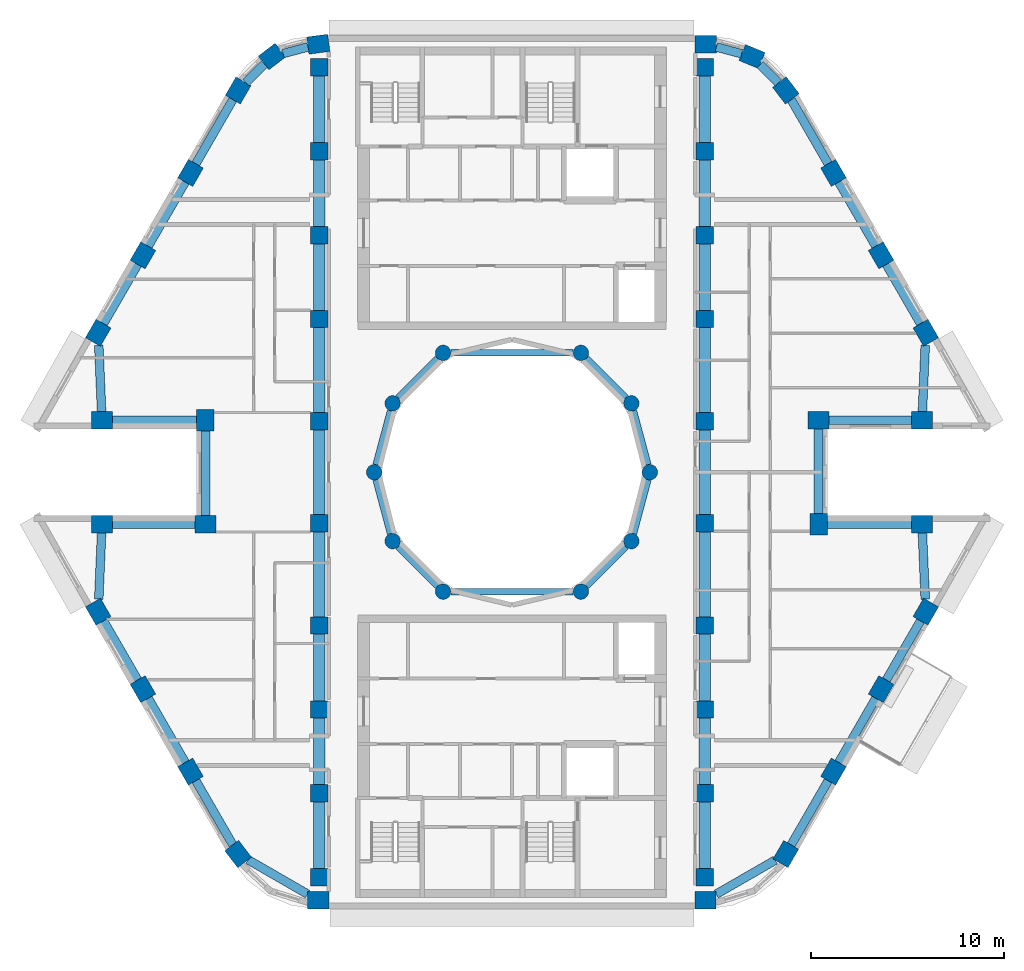
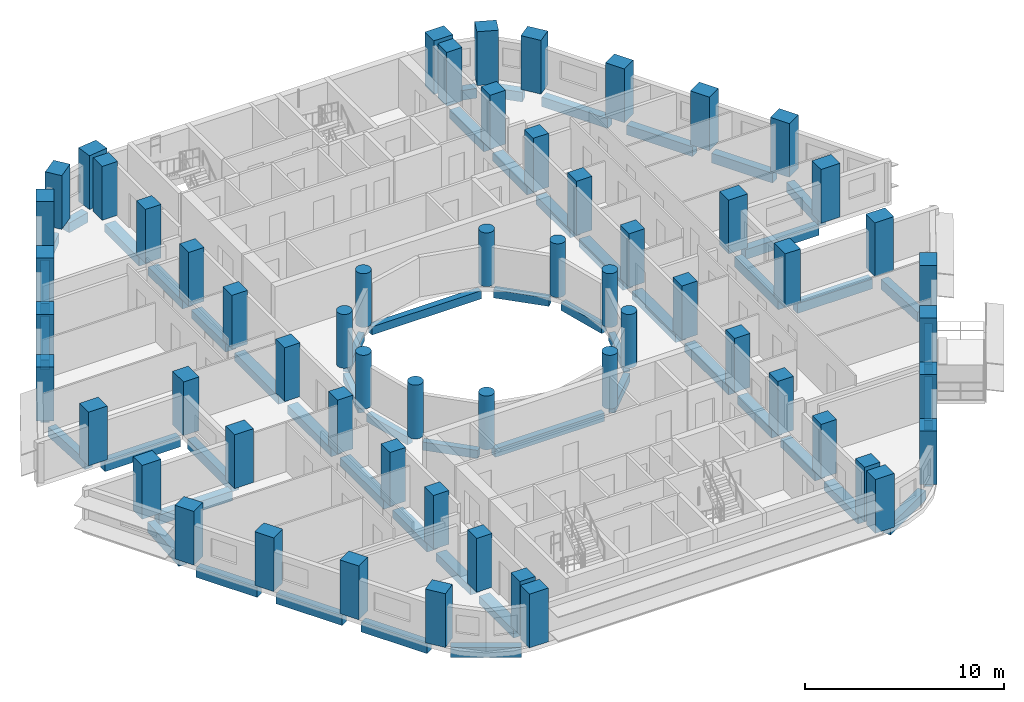
# One storey, part 1 of 12: 60 columns, 56 beams.
"""IFC4 building model written with IfcOpenShell, lengths in metres."""

from ifc_helpers import new_model, si_unit, direction, frame, origin, origin_2d, place, context, subcontext, project, spatial, rectangle, circle, extrude, material, material_profile, profile_set, type_object, element, save


model = new_model("IFC4")

# Units and contexts
model_context = context("Model", 3, precision=1e-05, world=origin(), true_north=direction((0.0, 1.0)))
body_context = subcontext(model_context, "Body", "Model", "MODEL_VIEW")
ifc_project = project(units=[si_unit("LENGTHUNIT", "METRE"), si_unit("AREAUNIT", "SQUARE_METRE"), si_unit("VOLUMEUNIT", "CUBIC_METRE"), si_unit("PLANEANGLEUNIT", "RADIAN"), si_unit("MASSUNIT", "GRAM", prefix="KILO")], contexts=[model_context])

# Site, building, storey
site_placement = place(None, origin())
site = spatial("IfcSite", under=ifc_project, at=site_placement, CompositionType="ELEMENT")
building_placement = place(site_placement, origin())
building = spatial("IfcBuilding", under=site, at=building_placement, Name="Nakaniwa Court", CompositionType="ELEMENT")
storey_placement = place(building_placement, frame((0.0, 0.0, 229.5)))
storey = spatial("IfcBuildingStorey", under=building, at=storey_placement, Name="L59", CompositionType="ELEMENT", Elevation=229.5)

# Columns
ifc_material = material(Name="Concrete C80/100", Category="concrete")
ifc_material_profile_1 = material_profile(ifc_material, rectangle(XDim=1.10009765625, YDim=0.89990234375, at=origin_2d()), Name="Concrete C80/100 RC 1100x900 perimeter column")
ifc_profile_set_1 = profile_set([ifc_material_profile_1], Name="Concrete C80/100")
column_type_1 = type_object("IfcColumnType", Name="Concrete C80/100 RC 1100x900 perimeter column", PredefinedType="COLUMN", material=ifc_profile_set_1)
for number, where, z_axis, x_axis, name in (
    (1, (69.95458984375, 102.199951171875, 0.0), (0.0, 0.0, 1.0), (-0.991442583111, -0.130543496177, 0.0), "COLUMN CO-01"),
    (2, (67.552001953125, 101.560302734375, 0.0), (0.0, 0.0, 1.0), (-0.793363965062, -0.608747582288, 0.0), "COLUMN CO-02"),
    (3, (65.796875, 99.799560546875, 0.0), (0.0, 0.0, 1.0), (-0.5, -0.866025403784, 0.0), "COLUMN CO-03"),
    (4, (63.328857421875, 95.524658203125, 0.0), (0.0, 0.0, 1.0), (-0.5, -0.866025403784, 0.0), "COLUMN CO-04"),
    (5, (60.860595703125, 91.249755859375, 0.0), (0.0, 0.0, 1.0), (-0.5, -0.866025403784, 0.0), "COLUMN CO-05"),
    (6, (58.541015625, 87.232177734375, 0.0), (0.0, 0.0, 1.0), (-0.5, -0.866025403784, 0.0), "COLUMN CO-06"),
    (7, (58.736083984375, 82.699951171875, 0.0), (0.0, 0.0, 1.0), (1.0, 0.0, 0.0), "COLUMN CO-08"),
    (8, (64.1005859375, 82.699951171875, 0.0), (0.0, 0.0, 1.0), (0.0, -1.0, 0.0), "COLUMN CO-09"),
    (9, (64.1005859375, 77.300048828125, 0.0), (0.0, 0.0, 1.0), (-1.0, 0.0, 0.0), "COLUMN CO-10"),
    (10, (58.736083984375, 77.300048828125, 0.0), (0.0, 0.0, 1.0), (-1.0, 0.0, 0.0), "COLUMN CO-11"),
    (11, (58.541015625, 72.767822265625, 0.0), (0.0, 0.0, 1.0), (0.5, -0.866025403784, 0.0), "COLUMN CO-13"),
    (12, (60.860595703125, 68.750244140625, 0.0), (0.0, 0.0, 1.0), (0.5, -0.866025403784, 0.0), "COLUMN CO-14"),
    (13, (63.328857421875, 64.475341796875, 0.0), (0.0, 0.0, 1.0), (0.5, -0.866025403784, 0.0), "COLUMN CO-15"),
    (14, (65.796875, 60.200439453125, 0.0), (0.0, 0.0, 1.0), (0.608761429009, -0.793353340291, 0.0), "COLUMN CO-16"),
    (15, (69.95458984375, 57.800048828125, 0.0), (0.0, 0.0, 1.0), (1.0, 0.0, 0.0), "COLUMN CO-17"),
    (16, (90.03955078125, 57.800048828125, 0.0), (0.0, 0.0, 1.0), (1.0, 0.0, 0.0), "COLUMN CO-21"),
    (17, (94.203125, 60.200439453125, 0.0), (0.0, 0.0, 1.0), (0.5, 0.866025403784, 0.0), "COLUMN CO-22"),
    (18, (96.671142578125, 64.475341796875, 0.0), (0.0, 0.0, 1.0), (0.5, 0.866025403784, 0.0), "COLUMN CO-23"),
    (19, (99.139404296875, 68.750244140625, 0.0), (0.0, 0.0, 1.0), (0.5, 0.866025403784, 0.0), "COLUMN CO-24"),
    (20, (101.458984375, 72.767822265625, 0.0), (0.0, 0.0, 1.0), (0.5, 0.866025403784, 0.0), "COLUMN CO-25"),
    (21, (101.263916015625, 77.300048828125, 0.0), (0.0, 0.0, 1.0), (-1.0, 0.0, 0.0), "COLUMN CO-27"),
    (22, (95.8994140625, 77.300048828125, 0.0), (0.0, 0.0, 1.0), (0.0, 1.0, 0.0), "COLUMN CO-28"),
    (23, (95.8994140625, 82.699951171875, 0.0), (0.0, 0.0, 1.0), (1.0, 0.0, 0.0), "COLUMN CO-29"),
    (24, (101.263916015625, 82.699951171875, 0.0), (0.0, 0.0, 1.0), (1.0, 0.0, 0.0), "COLUMN CO-30"),
    (25, (101.458984375, 87.232177734375, 0.0), (0.0, 0.0, 1.0), (-0.5, 0.866025403784, 0.0), "COLUMN CO-32"),
    (26, (99.139404296875, 91.249755859375, 0.0), (0.0, 0.0, 1.0), (-0.5, 0.866025403784, 0.0), "COLUMN CO-33"),
    (27, (96.671142578125, 95.524658203125, 0.0), (0.0, 0.0, 1.0), (-0.5, 0.866025403784, 0.0), "COLUMN CO-34"),
    (28, (94.203125, 99.799560546875, 0.0), (0.0, 0.0, 1.0), (-0.608761429009, 0.793353340291, 0.0), "COLUMN CO-35"),
    (29, (92.447998046875, 101.560302734375, 0.0), (0.0, 0.0, 1.0), (-0.923879532511, 0.382683432365, 0.0), "COLUMN CO-36"),
    (30, (90.04541015625, 102.199951171875, 0.0), (0.0, 0.0, 1.0), (-1.0, 0.0, 0.0), "COLUMN CO-37"),
):
    element("IfcColumn", number, at=place(storey_placement, frame(where, z_axis=z_axis, x_axis=x_axis)), inside=storey, type_object=column_type_1, Name=name, PredefinedType="COLUMN", context=body_context, shape_type="SweptSolid", body=[
        extrude(rectangle(XDim=1.10009765625, YDim=0.89990234375, at=origin_2d()), origin(), (0.0, 0.0, 1.0), 3.300048828125),
    ])
ifc_material_profile_2 = material_profile(ifc_material, rectangle(XDim=0.89990234375, YDim=0.89990234375, at=origin_2d()), Name="Concrete C80/100 RC 900x900 spine column")
ifc_profile_set_2 = profile_set([ifc_material_profile_2], Name="Concrete C80/100")
column_type_2 = type_object("IfcColumnType", Name="Concrete C80/100 RC 900x900 spine column", PredefinedType="COLUMN", material=ifc_profile_set_2)
for number, where, z_axis, x_axis, name in (
    (31, (90.0, 59.0, 0.0), (0.0, 0.0, 1.0), (0.0, 1.0, 0.0), "COLUMN CS-01"),
    (32, (90.0, 63.35009765625, 0.0), (0.0, 0.0, 1.0), (0.0, 1.0, 0.0), "COLUMN CS-02"),
    (33, (90.0, 67.699951171875, 0.0), (0.0, 0.0, 1.0), (0.0, 1.0, 0.0), "COLUMN CS-03"),
    (34, (90.0, 72.050048828125, 0.0), (0.0, 0.0, 1.0), (0.0, 1.0, 0.0), "COLUMN CS-04"),
    (35, (90.0, 77.35009765625, 0.0), (0.0, 0.0, 1.0), (0.0, 1.0, 0.0), "COLUMN CS-05"),
    (36, (90.0, 82.64990234375, 0.0), (0.0, 0.0, 1.0), (0.0, 1.0, 0.0), "COLUMN CS-06"),
    (37, (90.0, 87.949951171875, 0.0), (0.0, 0.0, 1.0), (0.0, 1.0, 0.0), "COLUMN CS-07"),
    (38, (90.0, 92.300048828125, 0.0), (0.0, 0.0, 1.0), (0.0, 1.0, 0.0), "COLUMN CS-08"),
    (39, (90.0, 96.64990234375, 0.0), (0.0, 0.0, 1.0), (0.0, 1.0, 0.0), "COLUMN CS-09"),
    (40, (90.0, 101.0, 0.0), (0.0, 0.0, 1.0), (0.0, 1.0, 0.0), "COLUMN CS-10"),
    (41, (70.0, 101.0, 0.0), (0.0, 0.0, 1.0), (0.0, -1.0, 0.0), "COLUMN CS-11"),
    (42, (70.0, 96.64990234375, 0.0), (0.0, 0.0, 1.0), (0.0, -1.0, 0.0), "COLUMN CS-12"),
    (43, (70.0, 92.300048828125, 0.0), (0.0, 0.0, 1.0), (0.0, -1.0, 0.0), "COLUMN CS-13"),
    (44, (70.0, 87.949951171875, 0.0), (0.0, 0.0, 1.0), (0.0, -1.0, 0.0), "COLUMN CS-14"),
    (45, (70.0, 82.64990234375, 0.0), (0.0, 0.0, 1.0), (0.0, -1.0, 0.0), "COLUMN CS-15"),
    (46, (70.0, 77.35009765625, 0.0), (0.0, 0.0, 1.0), (0.0, -1.0, 0.0), "COLUMN CS-16"),
    (47, (70.0, 72.050048828125, 0.0), (0.0, 0.0, 1.0), (0.0, -1.0, 0.0), "COLUMN CS-17"),
    (48, (70.0, 67.699951171875, 0.0), (0.0, 0.0, 1.0), (0.0, -1.0, 0.0), "COLUMN CS-18"),
    (49, (70.0, 63.35009765625, 0.0), (0.0, 0.0, 1.0), (0.0, -1.0, 0.0), "COLUMN CS-19"),
    (50, (70.0, 59.0, 0.0), (0.0, 0.0, 1.0), (0.0, -1.0, 0.0), "COLUMN CS-20"),
):
    element("IfcColumn", number, at=place(storey_placement, frame(where, z_axis=z_axis, x_axis=x_axis)), inside=storey, type_object=column_type_2, Name=name, PredefinedType="COLUMN", context=body_context, shape_type="SweptSolid", body=[
        extrude(rectangle(XDim=0.89990234375, YDim=0.89990234375, at=origin_2d()), origin(), (0.0, 0.0, 1.0), 3.300048828125),
    ])
ifc_material_profile_3 = material_profile(ifc_material, circle(Radius=0.39990234375, at=origin_2d()), Name="Concrete C80/100 RC D800 inner ring column")
ifc_profile_set_3 = profile_set([ifc_material_profile_3], Name="Concrete C80/100")
column_type_3 = type_object("IfcColumnType", Name="Concrete C80/100 RC D800 inner ring column", PredefinedType="COLUMN", material=ifc_profile_set_3)
for number, where, z_axis, x_axis, name in (
    (51, (87.14990234375, 80.0, 0.0), (0.0, 0.0, 1.0), (0.0, 1.0, 0.0), "COLUMN CI-01"),
    (52, (86.192138671875, 83.574951171875, 0.0), (0.0, 0.0, 1.0), (-0.5, 0.866025403784, 0.0), "COLUMN CI-02"),
    (53, (83.574951171875, 86.192138671875, 0.0), (0.0, 0.0, 1.0), (-0.866025403784, 0.5, 0.0), "COLUMN CI-03"),
    (54, (76.425048828125, 86.192138671875, 0.0), (0.0, 0.0, 1.0), (-0.866025403784, -0.5, 0.0), "COLUMN CI-05"),
    (55, (73.807861328125, 83.574951171875, 0.0), (0.0, 0.0, 1.0), (-0.5, -0.866025403784, 0.0), "COLUMN CI-06"),
    (56, (72.85009765625, 80.0, 0.0), (0.0, 0.0, 1.0), (0.0, -1.0, 0.0), "COLUMN CI-07"),
    (57, (73.807861328125, 76.425048828125, 0.0), (0.0, 0.0, 1.0), (0.5, -0.866025403784, 0.0), "COLUMN CI-08"),
    (58, (76.425048828125, 73.807861328125, 0.0), (0.0, 0.0, 1.0), (0.866025403784, -0.5, 0.0), "COLUMN CI-09"),
    (59, (83.574951171875, 73.807861328125, 0.0), (0.0, 0.0, 1.0), (0.866025403784, 0.5, 0.0), "COLUMN CI-11"),
    (60, (86.192138671875, 76.425048828125, 0.0), (0.0, 0.0, 1.0), (0.5, 0.866025403784, 0.0), "COLUMN CI-12"),
):
    element("IfcColumn", number, at=place(storey_placement, frame(where, z_axis=z_axis, x_axis=x_axis)), inside=storey, type_object=column_type_3, Name=name, PredefinedType="COLUMN", context=body_context, shape_type="SweptSolid", body=[
        extrude(circle(Radius=0.39990234375, at=origin_2d()), origin(), (0.0, 0.0, 1.0), 3.300048828125),
    ])

# Beams
ifc_material_profile_4 = material_profile(ifc_material, rectangle(XDim=0.35009765625, YDim=0.5, at=origin_2d()), Name="Concrete C80/100 RC 350x500 ring beam")
ifc_profile_set_4 = profile_set([ifc_material_profile_4], Name="Concrete C80/100")
beam_type_1 = type_object("IfcBeamType", Name="Concrete C80/100 RC 350x500 ring beam", PredefinedType="BEAM", material=ifc_profile_set_4)
beam_1_placement = place(storey_placement, frame((87.04638671875, 80.386474609375, -0.52490234375), z_axis=(-0.258778150207, 0.965936783115, 0.0), x_axis=(-0.965936783115, -0.258778150207, 0.0)))
element("IfcBeam", 61, at=beam_1_placement, inside=storey, type_object=beam_type_1, Name="RING BEAM", PredefinedType="BEAM", context=body_context, shape_type="SweptSolid", body=[
    extrude(rectangle(XDim=0.35009765625, YDim=0.5, at=origin_2d()), origin(), (0.0, 0.0, 1.0), 2.901123046875),
])
beam_2_placement = place(storey_placement, frame((85.9091796875, 83.85791015625, -0.52490234375), z_axis=(-0.707106781187, 0.707106781187, 0.0), x_axis=(-0.707106781187, -0.707106781187, 0.0)))
element("IfcBeam", 62, at=beam_2_placement, inside=storey, type_object=beam_type_1, Name="RING BEAM", PredefinedType="BEAM", context=body_context, shape_type="SweptSolid", body=[
    extrude(rectangle(XDim=0.35009765625, YDim=0.5, at=origin_2d()), origin(), (0.0, 0.0, 1.0), 2.90087890625),
])
beam_3_placement = place(storey_placement, frame((83.175048828125, 86.192138671875, -0.52490234375), z_axis=(-1.0, 0.0, 0.0), x_axis=(0.0, -1.0, 0.0)))
element("IfcBeam", 63, at=beam_3_placement, inside=storey, type_object=beam_type_1, Name="RING BEAM", PredefinedType="BEAM", context=body_context, shape_type="SweptSolid", body=[
    extrude(rectangle(XDim=0.35009765625, YDim=0.5, at=origin_2d()), origin(), (0.0, 0.0, 1.0), 6.35009765625),
])
beam_4_placement = place(storey_placement, frame((76.14208984375, 85.9091796875, -0.52490234375), z_axis=(-0.707106781187, -0.707106781187, 0.0), x_axis=(0.707106781187, -0.707106781187, 0.0)))
element("IfcBeam", 64, at=beam_4_placement, inside=storey, type_object=beam_type_1, Name="RING BEAM", PredefinedType="BEAM", context=body_context, shape_type="SweptSolid", body=[
    extrude(rectangle(XDim=0.35009765625, YDim=0.5, at=origin_2d()), origin(), (0.0, 0.0, 1.0), 2.90087890625),
])
for number, where, z_axis, x_axis, name in (
    (65, (73.704345703125, 83.188720703125, -0.52490234375), (-0.258778150207, -0.965936783115, 0.0), (0.965936783115, -0.258778150207, 0.0), "RING BEAM"),
    (66, (72.95361328125, 79.613525390625, -0.52490234375), (0.258778150207, -0.965936783115, 0.0), (0.965936783115, 0.258778150207, 0.0), "RING BEAM"),
):
    element("IfcBeam", number, at=place(storey_placement, frame(where, z_axis=z_axis, x_axis=x_axis)), inside=storey, type_object=beam_type_1, Name=name, PredefinedType="BEAM", context=body_context, shape_type="SweptSolid", body=[
        extrude(rectangle(XDim=0.35009765625, YDim=0.5, at=origin_2d()), origin(), (0.0, 0.0, 1.0), 2.901123046875),
    ])
beam_5_placement = place(storey_placement, frame((74.0908203125, 76.14208984375, -0.52490234375), z_axis=(0.707106781187, -0.707106781187, 0.0), x_axis=(0.707106781187, 0.707106781187, 0.0)))
element("IfcBeam", 67, at=beam_5_placement, inside=storey, type_object=beam_type_1, Name="RING BEAM", PredefinedType="BEAM", context=body_context, shape_type="SweptSolid", body=[
    extrude(rectangle(XDim=0.35009765625, YDim=0.5, at=origin_2d()), origin(), (0.0, 0.0, 1.0), 2.90087890625),
])
beam_6_placement = place(storey_placement, frame((76.824951171875, 73.807861328125, -0.52490234375), z_axis=(1.0, 0.0, 0.0), x_axis=(0.0, 1.0, 0.0)))
element("IfcBeam", 68, at=beam_6_placement, inside=storey, type_object=beam_type_1, Name="RING BEAM", PredefinedType="BEAM", context=body_context, shape_type="SweptSolid", body=[
    extrude(rectangle(XDim=0.35009765625, YDim=0.5, at=origin_2d()), origin(), (0.0, 0.0, 1.0), 6.35009765625),
])
beam_7_placement = place(storey_placement, frame((83.85791015625, 74.0908203125, -0.52490234375), z_axis=(0.707106781187, 0.707106781187, 0.0), x_axis=(-0.707106781187, 0.707106781187, 0.0)))
element("IfcBeam", 69, at=beam_7_placement, inside=storey, type_object=beam_type_1, Name="RING BEAM", PredefinedType="BEAM", context=body_context, shape_type="SweptSolid", body=[
    extrude(rectangle(XDim=0.35009765625, YDim=0.5, at=origin_2d()), origin(), (0.0, 0.0, 1.0), 2.90087890625),
])
beam_8_placement = place(storey_placement, frame((86.295654296875, 76.811279296875, -0.52490234375), z_axis=(0.258778150207, 0.965936783115, 0.0), x_axis=(-0.965936783115, 0.258778150207, 0.0)))
element("IfcBeam", 70, at=beam_8_placement, inside=storey, type_object=beam_type_1, Name="RING BEAM", PredefinedType="BEAM", context=body_context, shape_type="SweptSolid", body=[
    extrude(rectangle(XDim=0.35009765625, YDim=0.5, at=origin_2d()), origin(), (0.0, 0.0, 1.0), 2.901123046875),
])
ifc_material_profile_5 = material_profile(ifc_material, rectangle(XDim=0.449951171875, YDim=0.60009765625, at=origin_2d()), Name="Concrete C80/100 RC 450x600 spandrel beam")
ifc_profile_set_5 = profile_set([ifc_material_profile_5], Name="Concrete C80/100")
beam_type_2 = type_object("IfcBeamType", Name="Concrete C80/100 RC 450x600 spandrel beam", PredefinedType="BEAM", material=ifc_profile_set_5)
beam_9_placement = place(storey_placement, frame((69.418701171875, 102.057373046875, -0.574951171875), z_axis=(-0.966286479475, -0.257469298332, 0.0), x_axis=(0.257469298332, -0.966286479475, 0.0)))
element("IfcBeam", 71, at=beam_9_placement, inside=storey, type_object=beam_type_2, Name="SPANDREL BEAM", PredefinedType="BEAM", context=body_context, shape_type="SweptSolid", body=[
    extrude(rectangle(XDim=0.449951171875, YDim=0.60009765625, at=origin_2d()), origin(), (0.0, 0.0, 1.0), 1.3359375),
])
beam_10_placement = place(storey_placement, frame((67.160400390625, 101.167236328125, -0.574951171875), z_axis=(-0.706030517025, -0.708181409689, 0.0), x_axis=(0.708181409689, -0.706030517025, 0.0)))
element("IfcBeam", 72, at=beam_10_placement, inside=storey, type_object=beam_type_2, Name="SPANDREL BEAM", PredefinedType="BEAM", context=body_context, shape_type="SweptSolid", body=[
    extrude(rectangle(XDim=0.449951171875, YDim=0.60009765625, at=origin_2d()), origin(), (0.0, 0.0, 1.0), 1.362060546875),
])
for number, where, z_axis, x_axis, name in (
    (73, (65.52197265625, 99.3232421875, -0.574951171875), (-0.50001992892, -0.866013897511, 0.0), (0.866013897511, -0.50001992892, 0.0), "SPANDREL BEAM"),
    (74, (63.0537109375, 95.04833984375, -0.574951171875), (-0.499972197867, -0.866041454758, 0.0), (0.866041454758, -0.499972197867, 0.0), "SPANDREL BEAM"),
):
    element("IfcBeam", number, at=place(storey_placement, frame(where, z_axis=z_axis, x_axis=x_axis)), inside=storey, type_object=beam_type_2, Name=name, PredefinedType="BEAM", context=body_context, shape_type="SweptSolid", body=[
        extrude(rectangle(XDim=0.449951171875, YDim=0.60009765625, at=origin_2d()), origin(), (0.0, 0.0, 1.0), 3.836181640625),
    ])
beam_11_placement = place(storey_placement, frame((60.585693359375, 90.7734375, -0.574951171875), z_axis=(-0.499997139945, -0.866027055032, 0.0), x_axis=(0.866027055032, -0.499997139945, 0.0)))
element("IfcBeam", 75, at=beam_11_placement, inside=storey, type_object=beam_type_2, Name="SPANDREL BEAM", PredefinedType="BEAM", context=body_context, shape_type="SweptSolid", body=[
    extrude(rectangle(XDim=0.449951171875, YDim=0.60009765625, at=origin_2d()), origin(), (0.0, 0.0, 1.0), 3.5390625),
])
beam_12_placement = place(storey_placement, frame((58.569091796875, 86.580810546875, -0.574951171875), z_axis=(0.042940503042, -0.999077631217, 0.0), x_axis=(0.999077631217, 0.042940503042, 0.0)))
element("IfcBeam", 76, at=beam_12_placement, inside=storey, type_object=beam_type_2, Name="SPANDREL BEAM", PredefinedType="BEAM", context=body_context, shape_type="SweptSolid", body=[
    extrude(rectangle(XDim=0.449951171875, YDim=0.60009765625, at=origin_2d()), origin(), (0.0, 0.0, 1.0), 3.43408203125),
])
beam_13_placement = place(storey_placement, frame((59.285888671875, 82.699951171875, -0.574951171875), z_axis=(1.0, 0.0, 0.0), x_axis=(0.0, 1.0, 0.0)))
element("IfcBeam", 77, at=beam_13_placement, inside=storey, type_object=beam_type_2, Name="SPANDREL BEAM", PredefinedType="BEAM", context=body_context, shape_type="SweptSolid", body=[
    extrude(rectangle(XDim=0.449951171875, YDim=0.60009765625, at=origin_2d()), origin(), (0.0, 0.0, 1.0), 4.364501953125),
])
beam_14_placement = place(storey_placement, frame((64.1005859375, 82.14990234375, -0.574951171875), z_axis=(0.0, -1.0, 0.0), x_axis=(1.0, 0.0, 0.0)))
element("IfcBeam", 78, at=beam_14_placement, inside=storey, type_object=beam_type_2, Name="SPANDREL BEAM", PredefinedType="BEAM", context=body_context, shape_type="SweptSolid", body=[
    extrude(rectangle(XDim=0.449951171875, YDim=0.60009765625, at=origin_2d()), origin(), (0.0, 0.0, 1.0), 4.39990234375),
])
beam_15_placement = place(storey_placement, frame((63.550537109375, 77.300048828125, -0.574951171875), z_axis=(-1.0, 0.0, 0.0), x_axis=(0.0, -1.0, 0.0)))
element("IfcBeam", 79, at=beam_15_placement, inside=storey, type_object=beam_type_2, Name="SPANDREL BEAM", PredefinedType="BEAM", context=body_context, shape_type="SweptSolid", body=[
    extrude(rectangle(XDim=0.449951171875, YDim=0.60009765625, at=origin_2d()), origin(), (0.0, 0.0, 1.0), 4.2646484375),
])
beam_16_placement = place(storey_placement, frame((58.716552734375, 76.85009765625, -0.574951171875), z_axis=(-0.042940503042, -0.999077631217, 0.0), x_axis=(0.999077631217, -0.042940503042, 0.0)))
element("IfcBeam", 80, at=beam_16_placement, inside=storey, type_object=beam_type_2, Name="SPANDREL BEAM", PredefinedType="BEAM", context=body_context, shape_type="SweptSolid", body=[
    extrude(rectangle(XDim=0.449951171875, YDim=0.60009765625, at=origin_2d()), origin(), (0.0, 0.0, 1.0), 3.43408203125),
])
beam_17_placement = place(storey_placement, frame((58.816162109375, 72.29150390625, -0.574951171875), z_axis=(0.499997139945, -0.866027055032, 0.0), x_axis=(0.866027055032, 0.499997139945, 0.0)))
element("IfcBeam", 81, at=beam_17_placement, inside=storey, type_object=beam_type_2, Name="SPANDREL BEAM", PredefinedType="BEAM", context=body_context, shape_type="SweptSolid", body=[
    extrude(rectangle(XDim=0.449951171875, YDim=0.60009765625, at=origin_2d()), origin(), (0.0, 0.0, 1.0), 3.5390625),
])
beam_18_placement = place(storey_placement, frame((61.1357421875, 68.27392578125, -0.574951171875), z_axis=(0.499972197867, -0.866041454758, 0.0), x_axis=(0.866041454758, 0.499972197867, 0.0)))
element("IfcBeam", 82, at=beam_18_placement, inside=storey, type_object=beam_type_2, Name="SPANDREL BEAM", PredefinedType="BEAM", context=body_context, shape_type="SweptSolid", body=[
    extrude(rectangle(XDim=0.449951171875, YDim=0.60009765625, at=origin_2d()), origin(), (0.0, 0.0, 1.0), 3.836181640625),
])
beam_19_placement = place(storey_placement, frame((63.603759765625, 63.9990234375, -0.574951171875), z_axis=(0.500011110731, -0.866018988906, 0.0), x_axis=(0.866018988906, 0.500011110731, 0.0)))
element("IfcBeam", 83, at=beam_19_placement, inside=storey, type_object=beam_type_2, Name="SPANDREL BEAM", PredefinedType="BEAM", context=body_context, shape_type="SweptSolid", body=[
    extrude(rectangle(XDim=0.449951171875, YDim=0.60009765625, at=origin_2d()), origin(), (0.0, 0.0, 1.0), 3.83154296875),
])
beam_20_placement = place(storey_placement, frame((66.3125, 59.90283203125, -0.574951171875), z_axis=(0.866017069707, -0.500014434768, 0.0), x_axis=(0.500014434768, 0.866017069707, 0.0)))
element("IfcBeam", 84, at=beam_20_placement, inside=storey, type_object=beam_type_2, Name="SPANDREL BEAM", PredefinedType="BEAM", context=body_context, shape_type="SweptSolid", body=[
    extrude(rectangle(XDim=0.449951171875, YDim=0.60009765625, at=origin_2d()), origin(), (0.0, 0.0, 1.0), 3.57080078125),
])
beam_21_placement = place(storey_placement, frame((90.589599609375, 58.1171875, -0.574951171875), z_axis=(0.866307414098, 0.499511225378, 0.0), x_axis=(-0.499511225378, 0.866307414098, 0.0)))
element("IfcBeam", 85, at=beam_21_placement, inside=storey, type_object=beam_type_2, Name="SPANDREL BEAM", PredefinedType="BEAM", context=body_context, shape_type="SweptSolid", body=[
    extrude(rectangle(XDim=0.449951171875, YDim=0.60009765625, at=origin_2d()), origin(), (0.0, 0.0, 1.0), 3.53564453125),
])
for number, where, z_axis, x_axis, name in (
    (86, (94.47802734375, 60.6767578125, -0.574951171875), (0.50001992892, 0.866013897511, 0.0), (-0.866013897511, 0.50001992892, 0.0), "SPANDREL BEAM"),
    (87, (96.9462890625, 64.95166015625, -0.574951171875), (0.499972197867, 0.866041454758, 0.0), (-0.866041454758, 0.499972197867, 0.0), "SPANDREL BEAM"),
):
    element("IfcBeam", number, at=place(storey_placement, frame(where, z_axis=z_axis, x_axis=x_axis)), inside=storey, type_object=beam_type_2, Name=name, PredefinedType="BEAM", context=body_context, shape_type="SweptSolid", body=[
        extrude(rectangle(XDim=0.449951171875, YDim=0.60009765625, at=origin_2d()), origin(), (0.0, 0.0, 1.0), 3.836181640625),
    ])
beam_22_placement = place(storey_placement, frame((99.414306640625, 69.2265625, -0.574951171875), z_axis=(0.499997139945, 0.866027055032, 0.0), x_axis=(-0.866027055032, 0.499997139945, 0.0)))
element("IfcBeam", 88, at=beam_22_placement, inside=storey, type_object=beam_type_2, Name="SPANDREL BEAM", PredefinedType="BEAM", context=body_context, shape_type="SweptSolid", body=[
    extrude(rectangle(XDim=0.449951171875, YDim=0.60009765625, at=origin_2d()), origin(), (0.0, 0.0, 1.0), 3.5390625),
])
beam_23_placement = place(storey_placement, frame((101.430908203125, 73.419189453125, -0.574951171875), z_axis=(-0.042940503042, 0.999077631217, 0.0), x_axis=(-0.999077631217, -0.042940503042, 0.0)))
element("IfcBeam", 89, at=beam_23_placement, inside=storey, type_object=beam_type_2, Name="SPANDREL BEAM", PredefinedType="BEAM", context=body_context, shape_type="SweptSolid", body=[
    extrude(rectangle(XDim=0.449951171875, YDim=0.60009765625, at=origin_2d()), origin(), (0.0, 0.0, 1.0), 3.43408203125),
])
beam_24_placement = place(storey_placement, frame((100.714111328125, 77.300048828125, -0.574951171875), z_axis=(-1.0, 0.0, 0.0), x_axis=(0.0, -1.0, 0.0)))
element("IfcBeam", 90, at=beam_24_placement, inside=storey, type_object=beam_type_2, Name="SPANDREL BEAM", PredefinedType="BEAM", context=body_context, shape_type="SweptSolid", body=[
    extrude(rectangle(XDim=0.449951171875, YDim=0.60009765625, at=origin_2d()), origin(), (0.0, 0.0, 1.0), 4.364501953125),
])
beam_25_placement = place(storey_placement, frame((95.8994140625, 77.85009765625, -0.574951171875), z_axis=(0.0, 1.0, 0.0), x_axis=(-1.0, 0.0, 0.0)))
element("IfcBeam", 91, at=beam_25_placement, inside=storey, type_object=beam_type_2, Name="SPANDREL BEAM", PredefinedType="BEAM", context=body_context, shape_type="SweptSolid", body=[
    extrude(rectangle(XDim=0.449951171875, YDim=0.60009765625, at=origin_2d()), origin(), (0.0, 0.0, 1.0), 4.39990234375),
])
beam_26_placement = place(storey_placement, frame((96.449462890625, 82.699951171875, -0.574951171875), z_axis=(1.0, 0.0, 0.0), x_axis=(0.0, 1.0, 0.0)))
element("IfcBeam", 92, at=beam_26_placement, inside=storey, type_object=beam_type_2, Name="SPANDREL BEAM", PredefinedType="BEAM", context=body_context, shape_type="SweptSolid", body=[
    extrude(rectangle(XDim=0.449951171875, YDim=0.60009765625, at=origin_2d()), origin(), (0.0, 0.0, 1.0), 4.2646484375),
])
beam_27_placement = place(storey_placement, frame((101.283447265625, 83.14990234375, -0.574951171875), z_axis=(0.042940503042, 0.999077631217, 0.0), x_axis=(-0.999077631217, 0.042940503042, 0.0)))
element("IfcBeam", 93, at=beam_27_placement, inside=storey, type_object=beam_type_2, Name="SPANDREL BEAM", PredefinedType="BEAM", context=body_context, shape_type="SweptSolid", body=[
    extrude(rectangle(XDim=0.449951171875, YDim=0.60009765625, at=origin_2d()), origin(), (0.0, 0.0, 1.0), 3.43408203125),
])
beam_28_placement = place(storey_placement, frame((101.183837890625, 87.70849609375, -0.574951171875), z_axis=(-0.499997139945, 0.866027055032, 0.0), x_axis=(-0.866027055032, -0.499997139945, 0.0)))
element("IfcBeam", 94, at=beam_28_placement, inside=storey, type_object=beam_type_2, Name="SPANDREL BEAM", PredefinedType="BEAM", context=body_context, shape_type="SweptSolid", body=[
    extrude(rectangle(XDim=0.449951171875, YDim=0.60009765625, at=origin_2d()), origin(), (0.0, 0.0, 1.0), 3.5390625),
])
beam_29_placement = place(storey_placement, frame((98.8642578125, 91.72607421875, -0.574951171875), z_axis=(-0.499972197867, 0.866041454758, 0.0), x_axis=(-0.866041454758, -0.499972197867, 0.0)))
element("IfcBeam", 95, at=beam_29_placement, inside=storey, type_object=beam_type_2, Name="SPANDREL BEAM", PredefinedType="BEAM", context=body_context, shape_type="SweptSolid", body=[
    extrude(rectangle(XDim=0.449951171875, YDim=0.60009765625, at=origin_2d()), origin(), (0.0, 0.0, 1.0), 3.836181640625),
])
beam_30_placement = place(storey_placement, frame((96.396240234375, 96.0009765625, -0.574951171875), z_axis=(-0.500011110731, 0.866018988906, 0.0), x_axis=(-0.866018988906, -0.500011110731, 0.0)))
element("IfcBeam", 96, at=beam_30_placement, inside=storey, type_object=beam_type_2, Name="SPANDREL BEAM", PredefinedType="BEAM", context=body_context, shape_type="SweptSolid", body=[
    extrude(rectangle(XDim=0.449951171875, YDim=0.60009765625, at=origin_2d()), origin(), (0.0, 0.0, 1.0), 3.83154296875),
])
beam_31_placement = place(storey_placement, frame((93.8115234375, 100.1923828125, -0.574951171875), z_axis=(-0.706100745773, 0.708111387296, 0.0), x_axis=(-0.708111387296, -0.706100745773, 0.0)))
element("IfcBeam", 97, at=beam_31_placement, inside=storey, type_object=beam_type_2, Name="SPANDREL BEAM", PredefinedType="BEAM", context=body_context, shape_type="SweptSolid", body=[
    extrude(rectangle(XDim=0.449951171875, YDim=0.60009765625, at=origin_2d()), origin(), (0.0, 0.0, 1.0), 1.335693359375),
])
beam_32_placement = place(storey_placement, frame((91.91162109375, 101.702880859375, -0.574951171875), z_axis=(-0.966318174979, 0.257350315146, 0.0), x_axis=(-0.257350315146, -0.966318174979, 0.0)))
element("IfcBeam", 98, at=beam_32_placement, inside=storey, type_object=beam_type_2, Name="SPANDREL BEAM", PredefinedType="BEAM", context=body_context, shape_type="SweptSolid", body=[
    extrude(rectangle(XDim=0.449951171875, YDim=0.60009765625, at=origin_2d()), origin(), (0.0, 0.0, 1.0), 1.3623046875),
])
ifc_material_profile_6 = material_profile(ifc_material, rectangle(XDim=0.60009765625, YDim=0.5, at=origin_2d()), Name="Concrete C80/100 RC 600x500 ring beam")
ifc_profile_set_6 = profile_set([ifc_material_profile_6], Name="Concrete C80/100")
beam_type_3 = type_object("IfcBeamType", Name="Concrete C80/100 RC 600x500 ring beam", PredefinedType="BEAM", material=ifc_profile_set_6)
for number, where, z_axis, x_axis, name in (
    (99, (90.0, 59.449951171875, -0.52490234375), (0.0, 1.0, 0.0), (-1.0, 0.0, 0.0), "RING BEAM"),
    (100, (90.0, 63.800048828125, -0.52490234375), (0.0, 1.0, 0.0), (-1.0, 0.0, 0.0), "RING BEAM"),
):
    element("IfcBeam", number, at=place(storey_placement, frame(where, z_axis=z_axis, x_axis=x_axis)), inside=storey, type_object=beam_type_3, Name=name, PredefinedType="BEAM", context=body_context, shape_type="SweptSolid", body=[
        extrude(rectangle(XDim=0.60009765625, YDim=0.5, at=origin_2d()), origin(), (0.0, 0.0, 1.0), 3.449951171875),
    ])
beam_33_placement = place(storey_placement, frame((90.0, 68.14990234375, -0.52490234375), z_axis=(0.0, 1.0, 0.0), x_axis=(-1.0, 0.0, 0.0)))
element("IfcBeam", 101, at=beam_33_placement, inside=storey, type_object=beam_type_3, Name="RING BEAM", PredefinedType="BEAM", context=body_context, shape_type="SweptSolid", body=[
    extrude(rectangle(XDim=0.60009765625, YDim=0.5, at=origin_2d()), origin(), (0.0, 0.0, 1.0), 3.4501953125),
])
for number, where, z_axis, x_axis, name in (
    (102, (90.0, 72.5, -0.52490234375), (0.0, 1.0, 0.0), (-1.0, 0.0, 0.0), "RING BEAM"),
    (103, (90.0, 77.800048828125, -0.52490234375), (0.0, 1.0, 0.0), (-1.0, 0.0, 0.0), "RING BEAM"),
    (104, (90.0, 83.10009765625, -0.52490234375), (0.0, 1.0, 0.0), (-1.0, 0.0, 0.0), "RING BEAM"),
):
    element("IfcBeam", number, at=place(storey_placement, frame(where, z_axis=z_axis, x_axis=x_axis)), inside=storey, type_object=beam_type_3, Name=name, PredefinedType="BEAM", context=body_context, shape_type="SweptSolid", body=[
        extrude(rectangle(XDim=0.60009765625, YDim=0.5, at=origin_2d()), origin(), (0.0, 0.0, 1.0), 4.39990234375),
    ])
beam_34_placement = place(storey_placement, frame((90.0, 88.39990234375, -0.52490234375), z_axis=(0.0, 1.0, 0.0), x_axis=(-1.0, 0.0, 0.0)))
element("IfcBeam", 105, at=beam_34_placement, inside=storey, type_object=beam_type_3, Name="RING BEAM", PredefinedType="BEAM", context=body_context, shape_type="SweptSolid", body=[
    extrude(rectangle(XDim=0.60009765625, YDim=0.5, at=origin_2d()), origin(), (0.0, 0.0, 1.0), 3.4501953125),
])
for number, where, z_axis, x_axis, name in (
    (106, (90.0, 92.75, -0.52490234375), (0.0, 1.0, 0.0), (-1.0, 0.0, 0.0), "RING BEAM"),
    (107, (90.0, 97.10009765625, -0.52490234375), (0.0, 1.0, 0.0), (-1.0, 0.0, 0.0), "RING BEAM"),
    (108, (70.0, 100.550048828125, -0.52490234375), (0.0, -1.0, 0.0), (1.0, 0.0, 0.0), "RING BEAM"),
    (109, (70.0, 96.199951171875, -0.52490234375), (0.0, -1.0, 0.0), (1.0, 0.0, 0.0), "RING BEAM"),
):
    element("IfcBeam", number, at=place(storey_placement, frame(where, z_axis=z_axis, x_axis=x_axis)), inside=storey, type_object=beam_type_3, Name=name, PredefinedType="BEAM", context=body_context, shape_type="SweptSolid", body=[
        extrude(rectangle(XDim=0.60009765625, YDim=0.5, at=origin_2d()), origin(), (0.0, 0.0, 1.0), 3.449951171875),
    ])
beam_35_placement = place(storey_placement, frame((70.0, 91.85009765625, -0.52490234375), z_axis=(0.0, -1.0, 0.0), x_axis=(1.0, 0.0, 0.0)))
element("IfcBeam", 110, at=beam_35_placement, inside=storey, type_object=beam_type_3, Name="RING BEAM", PredefinedType="BEAM", context=body_context, shape_type="SweptSolid", body=[
    extrude(rectangle(XDim=0.60009765625, YDim=0.5, at=origin_2d()), origin(), (0.0, 0.0, 1.0), 3.4501953125),
])
for number, where, z_axis, x_axis, name in (
    (111, (70.0, 87.5, -0.52490234375), (0.0, -1.0, 0.0), (1.0, 0.0, 0.0), "RING BEAM"),
    (112, (70.0, 82.199951171875, -0.52490234375), (0.0, -1.0, 0.0), (1.0, 0.0, 0.0), "RING BEAM"),
    (113, (70.0, 76.89990234375, -0.52490234375), (0.0, -1.0, 0.0), (1.0, 0.0, 0.0), "RING BEAM"),
):
    element("IfcBeam", number, at=place(storey_placement, frame(where, z_axis=z_axis, x_axis=x_axis)), inside=storey, type_object=beam_type_3, Name=name, PredefinedType="BEAM", context=body_context, shape_type="SweptSolid", body=[
        extrude(rectangle(XDim=0.60009765625, YDim=0.5, at=origin_2d()), origin(), (0.0, 0.0, 1.0), 4.39990234375),
    ])
beam_36_placement = place(storey_placement, frame((70.0, 71.60009765625, -0.52490234375), z_axis=(0.0, -1.0, 0.0), x_axis=(1.0, 0.0, 0.0)))
element("IfcBeam", 114, at=beam_36_placement, inside=storey, type_object=beam_type_3, Name="RING BEAM", PredefinedType="BEAM", context=body_context, shape_type="SweptSolid", body=[
    extrude(rectangle(XDim=0.60009765625, YDim=0.5, at=origin_2d()), origin(), (0.0, 0.0, 1.0), 3.4501953125),
])
for number, where, z_axis, x_axis, name in (
    (115, (70.0, 67.25, -0.52490234375), (0.0, -1.0, 0.0), (1.0, 0.0, 0.0), "RING BEAM"),
    (116, (70.0, 62.89990234375, -0.52490234375), (0.0, -1.0, 0.0), (1.0, 0.0, 0.0), "RING BEAM"),
):
    element("IfcBeam", number, at=place(storey_placement, frame(where, z_axis=z_axis, x_axis=x_axis)), inside=storey, type_object=beam_type_3, Name=name, PredefinedType="BEAM", context=body_context, shape_type="SweptSolid", body=[
        extrude(rectangle(XDim=0.60009765625, YDim=0.5, at=origin_2d()), origin(), (0.0, 0.0, 1.0), 3.449951171875),
    ])

save(model, "model.ifc")
